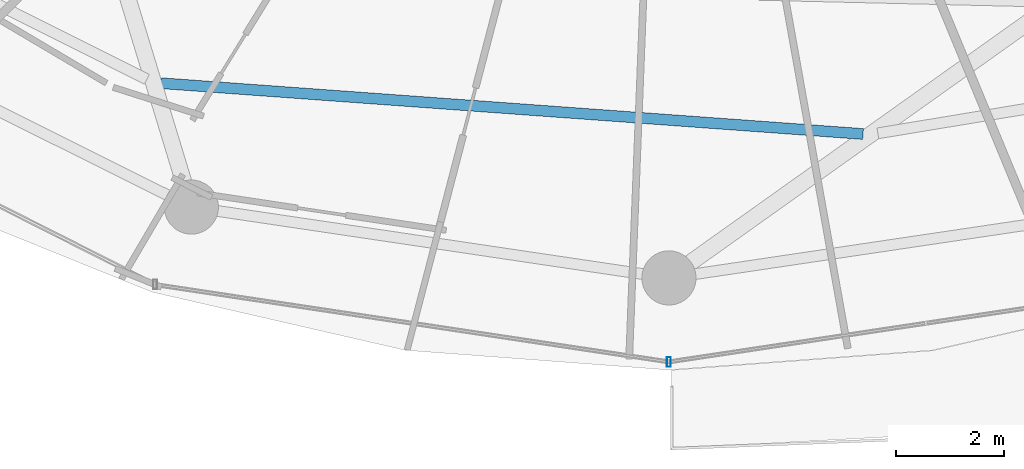
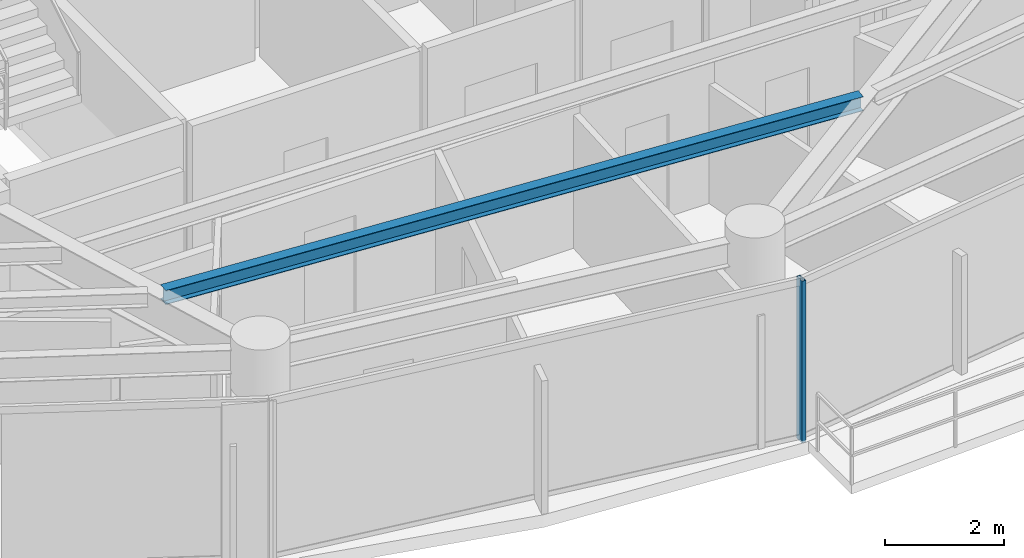
# One storey, part 6 of 29: 1 beam, 1 member, 1 element without a shape of its own.
"""IFC4 building model written with IfcOpenShell, lengths in metres."""

import ifcopenshell
import ifcopenshell.guid

model = None  # the IFC model being written
_history = None  # IfcOwnerHistory: only IFC2X3 demands one
_inside = {}  # id of a spatial element -> (the spatial element, [elements in it])
_under = {}  # id of a project, library or spatial element -> (it, [spatial elements below it])
_declared = {}  # id of a project -> (the project, [libraries it declares])
_typed = {}  # id of a type object -> (the type object, [elements of that type])
_made_of = {}  # id of a material, layer set ... -> (it, [elements and type objects made of it])


def new_model(schema):
    """Start an empty IFC model of exactly this schema.

    Asked for "IFC4X3", IfcOpenShell would pick the latest addendum, in which some entities
    have other attributes; the version numbers below select the first issue.
    IFC2X3 requires an IfcOwnerHistory on every rooted entity: one is made here for all.
    """
    global model, _history
    if schema == "IFC4X3":
        model = ifcopenshell.file(schema_version=(4, 3, 0, 0))
    else:
        model = ifcopenshell.file(schema=schema)
    _inside.clear()
    _under.clear()
    _declared.clear()
    _typed.clear()
    _made_of.clear()
    _history = None
    if model.schema == "IFC2X3":
        org = make("IfcOrganization", Name="unknown")
        user = make(
            "IfcPersonAndOrganization",
            ThePerson=make("IfcPerson", FamilyName="unknown"),
            TheOrganization=org,
        )
        app = make(
            "IfcApplication",
            ApplicationDeveloper=org,
            Version="unknown",
            ApplicationFullName="unknown",
            ApplicationIdentifier="unknown",
        )
        _history = make(
            "IfcOwnerHistory",
            OwningUser=user,
            OwningApplication=app,
            ChangeAction="ADDED",
            CreationDate=0,
        )
    return model


def make(cls, **values):
    """One entity of the class cls with the attributes given. An attribute that is None is left unset."""
    return model.create_entity(
        cls, **{name: value for name, value in values.items() if value is not None}
    )


def rooted(cls, **values):
    """An entity with a GlobalId (a new one), such as an element, a storey or a relation."""
    return make(cls, GlobalId=ifcopenshell.guid.new(), OwnerHistory=_history, **values)


def si_unit(unit_type, name, prefix=None):
    """IfcSIUnit, for example si_unit("LENGTHUNIT", "METRE", prefix="MILLI")."""
    return make("IfcSIUnit", UnitType=unit_type, Prefix=prefix, Name=name)


def assignment(units):
    """IfcUnitAssignment: the units of a project."""
    return None if units is None else make("IfcUnitAssignment", Units=units)


def point(xyz):
    """IfcCartesianPoint."""
    return None if xyz is None else make("IfcCartesianPoint", Coordinates=xyz)


def direction(xyz):
    """IfcDirection."""
    return None if xyz is None else make("IfcDirection", DirectionRatios=xyz)


def frame(location, z_axis=None, x_axis=None):
    """IfcAxis2Placement3D, a coordinate frame: its origin and axes. An axis left out is left unset."""
    return make(
        "IfcAxis2Placement3D",
        Location=point(location),
        Axis=direction(z_axis),
        RefDirection=direction(x_axis),
    )


def frame_2d(location, x_axis=None):
    """IfcAxis2Placement2D, a coordinate frame in the plane: its origin and x axis."""
    return make(
        "IfcAxis2Placement2D", Location=point(location), RefDirection=direction(x_axis)
    )


def origin():
    """The frame at (0, 0, 0) with its axes left unset."""
    return frame((0.0, 0.0, 0.0))


def origin_2d():
    """The frame at (0, 0) in the plane with its x axis left unset."""
    return frame_2d((0.0, 0.0))


def place(relative_to, where):
    """IfcLocalPlacement: puts the frame where relative to a parent placement (None: the world)."""
    return make(
        "IfcLocalPlacement", PlacementRelTo=relative_to, RelativePlacement=where
    )


def context(
    kind, dimensions, precision=None, world=None, true_north=None, identifier=None
):
    """IfcGeometricRepresentationContext, for example the 3D "Model" context."""
    return make(
        "IfcGeometricRepresentationContext",
        ContextIdentifier=identifier,
        ContextType=kind,
        CoordinateSpaceDimension=dimensions,
        Precision=precision,
        WorldCoordinateSystem=world,
        TrueNorth=true_north,
    )


def subcontext(parent, identifier, kind, view, scale=None):
    """IfcGeometricRepresentationSubContext, for example "Body" below "Model"."""
    return make(
        "IfcGeometricRepresentationSubContext",
        ContextIdentifier=identifier,
        ContextType=kind,
        ParentContext=parent,
        TargetScale=scale,
        TargetView=view,
    )


def project(units=None, contexts=None):
    """IfcProject with its units and contexts."""
    return rooted(
        "IfcProject",
        Name="project",
        RepresentationContexts=contexts,
        UnitsInContext=assignment(units),
    )


def spatial(cls, under=None, at=None, **own):
    """A site, building, storey or space (cls), placed at a placement, below another one or the project."""
    s = rooted(cls, ObjectPlacement=at, **own)
    if under is not None:
        _under.setdefault(under.id(), (under, []))[1].append(s)
    return s


def profile(cls, at=None, kind="AREA", **sizes):
    """A parametric profile (cls). Its sizes go by their IFC names, for example OverallWidth=200.0."""
    return make(cls, ProfileType=kind, Position=at, **sizes)


def hollow_rectangle(**sizes):
    """IfcRectangleHollowProfileDef."""
    return profile("IfcRectangleHollowProfileDef", **sizes)


def i_section(**sizes):
    """IfcIShapeProfileDef."""
    return profile("IfcIShapeProfileDef", **sizes)


def extrude(swept, where, along, depth):
    """IfcExtrudedAreaSolid: the profile swept, set in the frame where, extruded along a direction by depth."""
    return make(
        "IfcExtrudedAreaSolid",
        SweptArea=swept,
        Position=where,
        ExtrudedDirection=direction(along),
        Depth=depth,
    )


def shape(context_of_items, identifier, shape_type, items):
    """IfcShapeRepresentation: the items that make up one representation, for example the "Body"."""
    return make(
        "IfcShapeRepresentation",
        ContextOfItems=context_of_items,
        RepresentationIdentifier=identifier,
        RepresentationType=shape_type,
        Items=items,
    )


def material(Name=None, Category=None):
    """IfcMaterial."""
    return make("IfcMaterial", Name=Name, Category=Category)


def material_profile(
    of_material, cross_section, Name=None, Category=None, Priority=None
):
    """IfcMaterialProfile: a cross section and its material."""
    return make(
        "IfcMaterialProfile",
        Name=Name,
        Material=of_material,
        Profile=cross_section,
        Priority=Priority,
        Category=Category,
    )


def profile_set(profiles, Name=None, composite=None):
    """IfcMaterialProfileSet."""
    return make(
        "IfcMaterialProfileSet",
        Name=Name,
        MaterialProfiles=profiles,
        CompositeProfile=composite,
    )


def made_of(thing, what):
    """Note that an element or type object is made of a material, layer set ...; save() writes the relation."""
    if what is not None:
        _made_of.setdefault(what.id(), (what, []))[1].append(thing)
    return thing


def type_object(cls, material=None, **own):
    """A type object (cls), such as IfcWallType, which elements share."""
    return made_of(rooted(cls, **own), material)


def element(
    cls,
    number,
    at=None,
    inside=None,
    cuts=None,
    type_object=None,
    material=None,
    context=None,
    identifier="Body",
    shape_type=None,
    held_by="IfcProductDefinitionShape",
    body=None,
    shapes=None,
    **own,
):
    """One element of the class cls, such as IfcWall. Its Tag is "e" and its number.

    at: its placement. inside: the storey or other place that contains it. cuts: it is an
    opening in that element (IfcRelVoidsElement). A single representation is given by context,
    identifier, shape_type and body (its items); several are given by shapes. held_by: the class
    of the entity that holds the representations. save() writes the other relations.
    """
    e = rooted(cls, Tag="e%d" % number, ObjectPlacement=at, **own)
    if body is not None:
        shapes = [shape(context, identifier, shape_type, body)]
    if shapes is not None:
        e.Representation = make(held_by, Representations=shapes)
    if inside is not None:
        _inside.setdefault(inside.id(), (inside, []))[1].append(e)
    if cuts is not None:
        rooted(
            "IfcRelVoidsElement", RelatingBuildingElement=cuts, RelatedOpeningElement=e
        )
    if type_object is not None:
        _typed.setdefault(type_object.id(), (type_object, []))[1].append(e)
    return made_of(e, material)


def aggregate(whole, parts):
    """IfcRelAggregates: a whole, such as a stair, and the parts it consists of."""
    return rooted("IfcRelAggregates", RelatingObject=whole, RelatedObjects=parts)


def save(model, path):
    """Write the relations noted so far, then the file.

    IfcRelAggregates (storeys below a building ...), IfcRelContainedInSpatialStructure (elements
    in a storey), IfcRelDefinesByType, IfcRelAssociatesMaterial and IfcRelDeclares: one each for
    every whole, place, type object, material and project.
    """
    for whole, parts in _under.values():
        aggregate(whole, parts)
    for where, things in _inside.values():
        rooted(
            "IfcRelContainedInSpatialStructure",
            RelatedElements=things,
            RelatingStructure=where,
        )
    for kind, things in _typed.values():
        rooted("IfcRelDefinesByType", RelatedObjects=things, RelatingType=kind)
    for what, things in _made_of.values():
        rooted("IfcRelAssociatesMaterial", RelatedObjects=things, RelatingMaterial=what)
    for by, libraries in _declared.values():
        rooted("IfcRelDeclares", RelatingContext=by, RelatedDefinitions=libraries)
    model.write(path)


model = new_model("IFC4")

# Units and contexts
model_context = context("Model", 3, precision=1e-05, world=origin(), true_north=direction((0.0, 1.0)))
body_context = subcontext(model_context, "Body", "Model", "MODEL_VIEW")
ifc_project = project(units=[si_unit("LENGTHUNIT", "METRE"), si_unit("AREAUNIT", "SQUARE_METRE"), si_unit("VOLUMEUNIT", "CUBIC_METRE"), si_unit("PLANEANGLEUNIT", "RADIAN"), si_unit("MASSUNIT", "GRAM", prefix="KILO")], contexts=[model_context])

# Site, building, storey
site_placement = place(None, origin())
site = spatial("IfcSite", under=ifc_project, at=site_placement, CompositionType="ELEMENT")
building_placement = place(site_placement, origin())
building = spatial("IfcBuilding", under=site, at=building_placement, Name="Vorneva Point Tower", CompositionType="ELEMENT")
storey_placement = place(building_placement, frame((0.0, 0.0, 167.60009765625)))
storey = spatial("IfcBuildingStorey", under=building, at=storey_placement, Name="L45", CompositionType="ELEMENT", Elevation=167.60009765625)

# Beam
ifc_material_1 = material(Name="Steel S355", Category="steel")
ifc_material_profile_1 = material_profile(ifc_material_1, i_section(OverallWidth=0.199951171875, OverallDepth=0.291015625, WebThickness=0.008056640625, FlangeThickness=0.010986328125, at=origin_2d()), Name="30Sh1")
ifc_profile_set_1 = profile_set([ifc_material_profile_1], Name="Steel S355")
beam_type = type_object("IfcBeamType", Name="BM-SEC-30Sh1", PredefinedType="BEAM", material=ifc_profile_set_1)
beam_placement = place(storey_placement, frame((28.61767578125, 12.397216796875, 3.094482421875), z_axis=(0.997392598268, -0.072166508296, 0.0), x_axis=(0.072166508296, 0.997392598268, 0.0)))
element("IfcBeam", 1, at=beam_placement, inside=storey, type_object=beam_type, Name="L45 Secondary Floor Beam 1.12", PredefinedType="BEAM", context=body_context, shape_type="SweptSolid", body=[
    extrude(i_section(OverallWidth=0.199951171875, OverallDepth=0.291015625, WebThickness=0.008056640625, FlangeThickness=0.010986328125, at=origin_2d()), origin(), (0.0, 0.0, 1.0), 13.0009765625),
])

# Curtain wall, member
ifc_material_2 = material(Name="Pale anodised aluminium", Category="aluminium")
curtain_wall_type = type_object("IfcCurtainWallType", Name="CW-RES-SYS", PredefinedType="NOTDEFINED", material=ifc_material_2)
curtain_wall_placement = place(storey_placement, origin())
curtain_wall = element("IfcCurtainWall", 2, at=curtain_wall_placement, inside=storey, type_object=curtain_wall_type, Name="L45 Unitised Curtain Wall CW-L45-R04", PredefinedType="NOTDEFINED")
ifc_material_profile_2 = material_profile(ifc_material_2, hollow_rectangle(XDim=0.074951171875, YDim=0.179931640625, WallThickness=0.00390625, at=origin_2d()), Name="AL-MUL 180x75x4")
ifc_profile_set_2 = profile_set([ifc_material_profile_2], Name="Pale anodised aluminium")
member_type = type_object("IfcMemberType", Name="CW-MUL-180", PredefinedType="MULLION", material=ifc_profile_set_2)
member_placement = place(storey_placement, frame((38.0, 7.25, -0.0400390625), z_axis=(0.0, 0.0, 1.0), x_axis=(1.0, 0.0, 0.0)))
member = element("IfcMember", 3, at=member_placement, type_object=member_type, Name="CW-L45-R04 Mullion 03", PredefinedType="MULLION", context=body_context, shape_type="SweptSolid", body=[
    extrude(hollow_rectangle(XDim=0.074951171875, YDim=0.179931640625, WallThickness=0.00390625, at=origin_2d()), origin(), (0.0, 0.0, 1.0), 3.31005859375),
])
aggregate(curtain_wall, [member])

save(model, "model.ifc")
